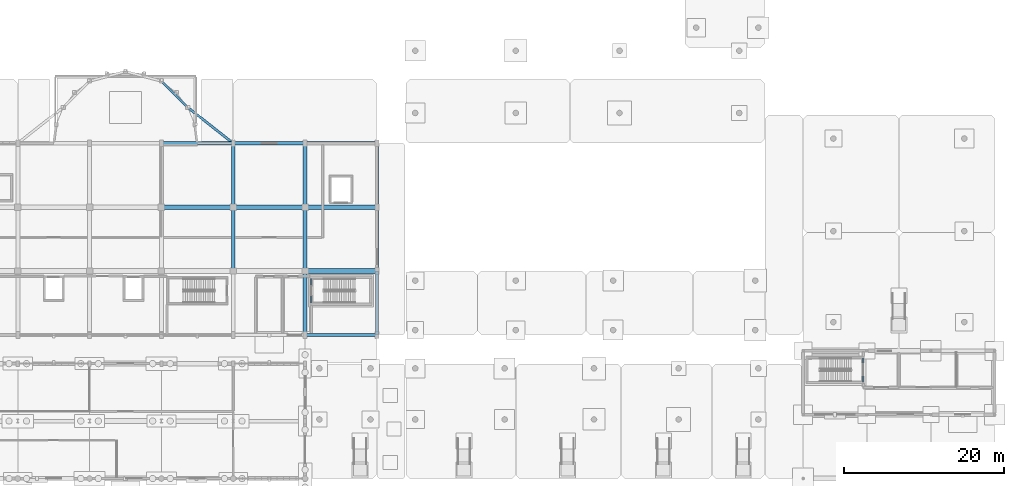
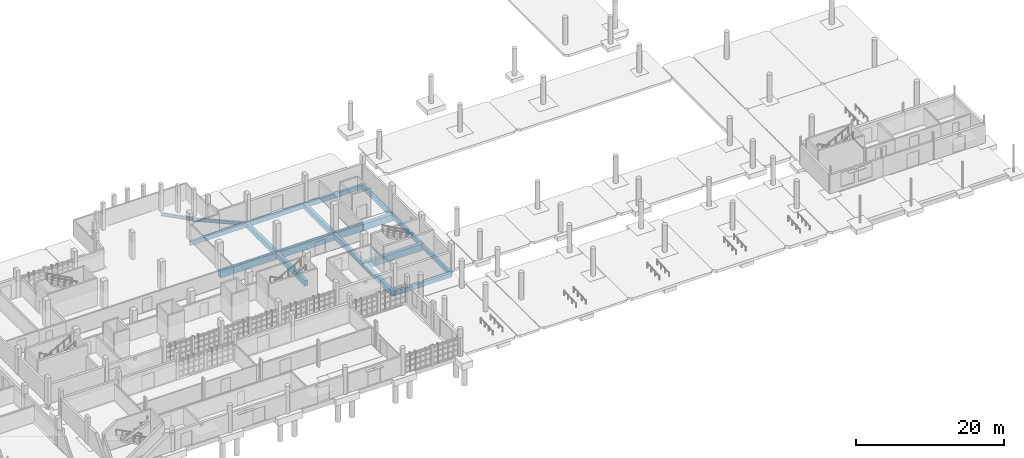
# One storey, part 20 of 63: 20 beams.
"""IFC4 building model written with IfcOpenShell, lengths in metres."""

from ifc_helpers import new_model, si_unit, direction, frame, origin, origin_2d, place, context, subcontext, project, spatial, rectangle, hollow_rectangle, i_section, extrude, material, material_profile, profile_set, type_object, element, save


model = new_model("IFC4")

# Units and contexts
model_context = context("Model", 3, precision=1e-05, world=origin(), true_north=direction((0.0, 1.0)))
body_context = subcontext(model_context, "Body", "Model", "MODEL_VIEW")
ifc_project = project(units=[si_unit("LENGTHUNIT", "METRE"), si_unit("AREAUNIT", "SQUARE_METRE"), si_unit("VOLUMEUNIT", "CUBIC_METRE"), si_unit("PLANEANGLEUNIT", "RADIAN"), si_unit("MASSUNIT", "GRAM", prefix="KILO")], contexts=[model_context])

# Site, building, storey
site_placement = place(None, origin())
site = spatial("IfcSite", under=ifc_project, at=site_placement, CompositionType="ELEMENT")
building_placement = place(site_placement, origin())
building = spatial("IfcBuilding", under=site, at=building_placement, Name="Serraforn Aerial Cableway Station", CompositionType="ELEMENT")
storey_placement = place(building_placement, origin())
storey = spatial("IfcBuildingStorey", under=building, at=storey_placement, Name="L00", CompositionType="ELEMENT", Elevation=0.0)

# Beams
ifc_material_1 = material(Name="Concrete C35/45", Category="concrete")
ifc_material_profile_1 = material_profile(ifc_material_1, rectangle(XDim=0.39990234375, YDim=0.699951171875, at=origin_2d()), Name="RC 400x700")
ifc_profile_set_1 = profile_set([ifc_material_profile_1], Name="Concrete C35/45")
beam_type_1 = type_object("IfcBeamType", Name="BM-RC-400x700E", PredefinedType="SPANDREL", material=ifc_profile_set_1)
for number, where, z_axis, x_axis, name in (
    (1, (81.60009765625, 18.0, -0.7099609375), (1.0, 0.0, 0.0), (0.0, 1.0, 0.0), "Grid Girder X CV L00 Y1-7"),
    (2, (63.60009765625, 42.0, -0.7099609375), (1.0, 0.0, 0.0), (0.0, 1.0, 0.0), "Grid Girder X CV L00 Y4-5"),
    (3, (72.60009765625, 42.0, -0.7099609375), (1.0, 0.0, 0.0), (0.0, 1.0, 0.0), "Grid Girder X CV L00 Y4-6"),
    (4, (81.60009765625, 42.0, -0.7099609375), (1.0, 0.0, 0.0), (0.0, 1.0, 0.0), "Grid Girder X CV L00 Y4-7"),
):
    element("IfcBeam", number, at=place(storey_placement, frame(where, z_axis=z_axis, x_axis=x_axis)), inside=storey, type_object=beam_type_1, Name=name, PredefinedType="SPANDREL", context=body_context, shape_type="SweptSolid", body=[
        extrude(rectangle(XDim=0.39990234375, YDim=0.699951171875, at=origin_2d()), origin(), (0.0, 0.0, 1.0), 9.0),
    ])
for number, where, z_axis, x_axis, name in (
    (5, (90.60009765625, 18.0, -0.7099609375), (0.0, 1.0, 0.0), (-1.0, 0.0, 0.0), "Grid Girder Y CV L00 X8-1"),
    (6, (90.60009765625, 26.0, -0.7099609375), (0.0, 1.0, 0.0), (-1.0, 0.0, 0.0), "Grid Girder Y CV L00 X8-2"),
    (7, (90.60009765625, 34.0, -0.7099609375), (0.0, 1.0, 0.0), (-1.0, 0.0, 0.0), "Grid Girder Y CV L00 X8-3"),
):
    element("IfcBeam", number, at=place(storey_placement, frame(where, z_axis=z_axis, x_axis=x_axis)), inside=storey, type_object=beam_type_1, Name=name, PredefinedType="SPANDREL", context=body_context, shape_type="SweptSolid", body=[
        extrude(rectangle(XDim=0.39990234375, YDim=0.699951171875, at=origin_2d()), origin(), (0.0, 0.0, 1.0), 8.0),
    ])
ifc_material_profile_2 = material_profile(ifc_material_1, rectangle(XDim=0.5, YDim=0.85009765625, at=origin_2d()), Name="RC 500x850")
ifc_profile_set_2 = profile_set([ifc_material_profile_2], Name="Concrete C35/45")
beam_type_2 = type_object("IfcBeamType", Name="BM-RC-500x850", PredefinedType="USERDEFINED", material=ifc_profile_set_2)
for number, where, z_axis, x_axis, name in (
    (8, (72.60009765625, 26.0, -0.784912109375), (0.0, 1.0, 0.0), (-1.0, 0.0, 0.0), "Grid Girder Y CV L00 X6-2"),
    (9, (72.60009765625, 34.0, -0.784912109375), (0.0, 1.0, 0.0), (-1.0, 0.0, 0.0), "Grid Girder Y CV L00 X6-3"),
    (10, (81.60009765625, 18.0, -0.784912109375), (0.0, 1.0, 0.0), (-1.0, 0.0, 0.0), "Grid Girder Y CV L00 X7-1"),
    (11, (81.60009765625, 26.0, -0.784912109375), (0.0, 1.0, 0.0), (-1.0, 0.0, 0.0), "Grid Girder Y CV L00 X7-2"),
    (12, (81.60009765625, 34.0, -0.784912109375), (0.0, 1.0, 0.0), (-1.0, 0.0, 0.0), "Grid Girder Y CV L00 X7-3"),
):
    element("IfcBeam", number, at=place(storey_placement, frame(where, z_axis=z_axis, x_axis=x_axis)), inside=storey, type_object=beam_type_2, Name=name, ObjectType="GIRDER", PredefinedType="USERDEFINED", context=body_context, shape_type="SweptSolid", body=[
        extrude(rectangle(XDim=0.5, YDim=0.85009765625, at=origin_2d()), origin(), (0.0, 0.0, 1.0), 8.0),
    ])
ifc_material_2 = material(Name="Concrete C40/50", Category="concrete")
ifc_material_profile_3 = material_profile(ifc_material_2, rectangle(XDim=0.60009765625, YDim=1.10009765625, at=origin_2d()), Name="RC 600x1100")
ifc_profile_set_3 = profile_set([ifc_material_profile_3], Name="Concrete C40/50")
beam_type_3 = type_object("IfcBeamType", Name="BM-RC-600x1100", PredefinedType="USERDEFINED", material=ifc_profile_set_3)
for number, where, z_axis, x_axis, name in (
    (13, (81.60009765625, 26.0, -0.909912109375), (1.0, 0.0, 0.0), (0.0, 1.0, 0.0), "Grid Girder X CV L00 Y2-7"),
    (14, (63.60009765625, 34.0, -0.909912109375), (1.0, 0.0, 0.0), (0.0, 1.0, 0.0), "Grid Girder X CV L00 Y3-5"),
    (15, (72.60009765625, 34.0, -0.909912109375), (1.0, 0.0, 0.0), (0.0, 1.0, 0.0), "Grid Girder X CV L00 Y3-6"),
    (16, (81.60009765625, 34.0, -0.909912109375), (1.0, 0.0, 0.0), (0.0, 1.0, 0.0), "Grid Girder X CV L00 Y3-7"),
):
    element("IfcBeam", number, at=place(storey_placement, frame(where, z_axis=z_axis, x_axis=x_axis)), inside=storey, type_object=beam_type_3, Name=name, ObjectType="GIRDER", PredefinedType="USERDEFINED", context=body_context, shape_type="SweptSolid", body=[
        extrude(rectangle(XDim=0.60009765625, YDim=1.10009765625, at=origin_2d()), origin(), (0.0, 0.0, 1.0), 9.0),
    ])
ifc_material_3 = material(Name="Steel S355J2", Category="steel")
ifc_material_profile_4 = material_profile(ifc_material_3, i_section(OverallWidth=0.300048828125, OverallDepth=0.5, WebThickness=0.011962890625, FlangeThickness=0.02294921875, FilletRadius=0.027099609375, at=origin_2d()), Name="HEA 500")
ifc_profile_set_4 = profile_set([ifc_material_profile_4], Name="Steel S355J2")
beam_type_4 = type_object("IfcBeamType", Name="BM-ST-HEA500", PredefinedType="USERDEFINED", material=ifc_profile_set_4)
beam_1_placement = place(storey_placement, frame((63.60009765625, 49.794189453125, -0.610107421875), z_axis=(0.707106781187, -0.707106781187, 0.0), x_axis=(0.707106781187, 0.707106781187, 0.0)))
element("IfcBeam", 17, at=beam_1_placement, inside=storey, type_object=beam_type_4, Name="Apse Ring Girder L00-5", ObjectType="GIRDER", PredefinedType="USERDEFINED", context=body_context, shape_type="SweptSolid", body=[
    extrude(i_section(OverallWidth=0.300048828125, OverallDepth=0.5, WebThickness=0.011962890625, FlangeThickness=0.02294921875, FilletRadius=0.027099609375, at=origin_2d()), origin(), (0.0, 0.0, 1.0), 4.65869140625),
])
beam_2_placement = place(storey_placement, frame((66.894287109375, 46.5, -0.639892578125), z_axis=(0.785189683878, -0.619255327253, 0.0), x_axis=(0.619255327253, 0.785189683878, 0.0)))
element("IfcBeam", 18, at=beam_2_placement, inside=storey, type_object=beam_type_4, Name="Apse Ring Girder L00-6", ObjectType="GIRDER", PredefinedType="USERDEFINED", context=body_context, shape_type="SweptSolid", body=[
    extrude(i_section(OverallWidth=0.300048828125, OverallDepth=0.5, WebThickness=0.011962890625, FlangeThickness=0.02294921875, FilletRadius=0.027099609375, at=origin_2d()), origin(), (0.0, 0.0, 1.0), 7.266845703125),
])
ifc_material_4 = material(Name="Steel S355JR", Category="steel")
ifc_material_profile_5 = material_profile(ifc_material_4, i_section(OverallWidth=0.10009765625, OverallDepth=0.199951171875, WebThickness=0.005615234375, FlangeThickness=0.008544921875, FilletRadius=0.011962890625, at=origin_2d()), Name="IPE 200")
ifc_profile_set_5 = profile_set([ifc_material_profile_5], Name="Steel S355JR")
beam_type_5 = type_object("IfcBeamType", Name="BM-ST-IPE200", PredefinedType="LINTEL", material=ifc_profile_set_5)
beam_3_placement = place(storey_placement, frame((151.510009765625, 15.10009765625, 2.27490234375), z_axis=(0.0, -1.0, 0.0), x_axis=(1.0, 0.0, 0.0)))
element("IfcBeam", 19, at=beam_3_placement, inside=storey, type_object=beam_type_5, Name="Stair Core Door Lintel D-S31", PredefinedType="LINTEL", context=body_context, shape_type="SweptSolid", body=[
    extrude(i_section(OverallWidth=0.10009765625, OverallDepth=0.199951171875, WebThickness=0.005615234375, FlangeThickness=0.008544921875, FilletRadius=0.011962890625, at=origin_2d()), origin(), (0.0, 0.0, 1.0), 2.960205078125),
])
ifc_material_profile_6 = material_profile(ifc_material_3, hollow_rectangle(XDim=0.14990234375, YDim=0.25, WallThickness=0.010009765625, InnerFilletRadius=0.010009765625, OuterFilletRadius=0.02001953125, at=origin_2d()), Name="RHS 250x150x10.0")
ifc_profile_set_6 = profile_set([ifc_material_profile_6], Name="Steel S355J2")
beam_type_6 = type_object("IfcBeamType", Name="BM-ST-RHS250", PredefinedType="LINTEL", material=ifc_profile_set_6)
beam_4_placement = place(storey_placement, frame((82.35009765625, 22.0, 2.27490234375), z_axis=(0.0, 1.0, 0.0), x_axis=(-1.0, 0.0, 0.0)))
element("IfcBeam", 20, at=beam_4_placement, inside=storey, type_object=beam_type_6, Name="Stair Core Door Lintel D-S26", PredefinedType="LINTEL", context=body_context, shape_type="SweptSolid", body=[
    extrude(hollow_rectangle(XDim=0.14990234375, YDim=0.25, WallThickness=0.010009765625, InnerFilletRadius=0.010009765625, OuterFilletRadius=0.02001953125, at=origin_2d()), origin(), (0.0, 0.0, 1.0), 3.06005859375),
])

save(model, "model.ifc")
